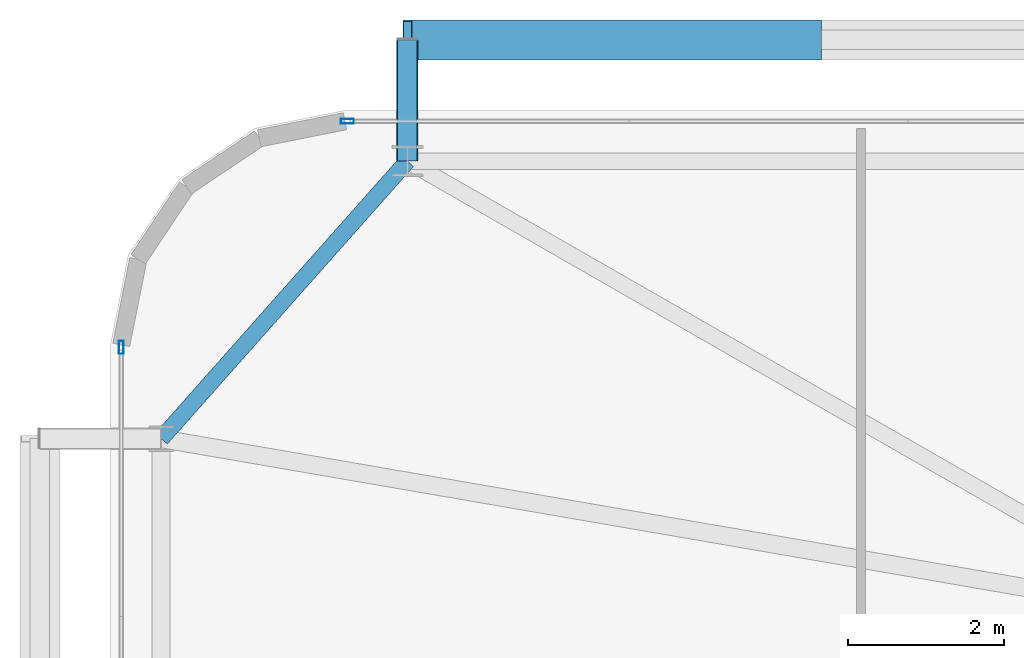
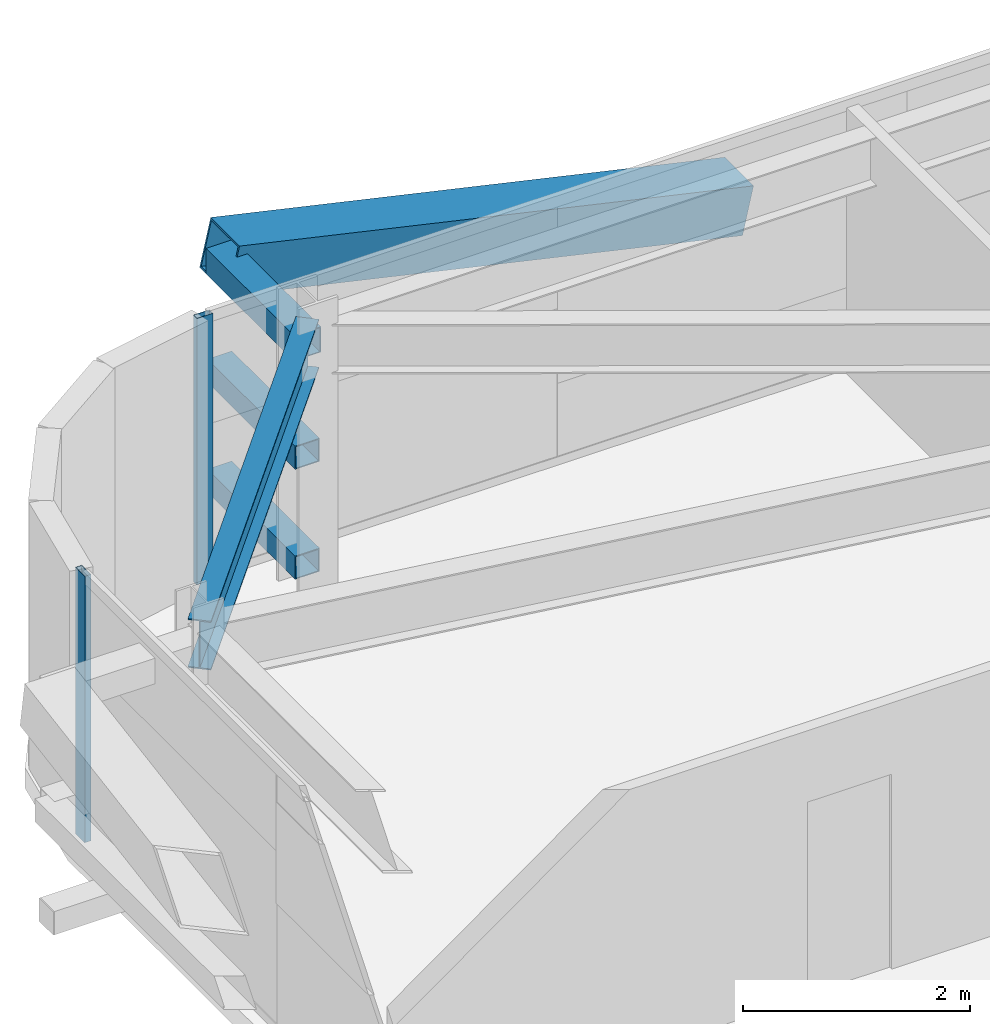
# One storey, part 21 of 45: 6 members, 1 beam, 2 elements without a shape of their own.
"""IFC4 building model written with IfcOpenShell, lengths in metres."""

from ifc_helpers import new_model, si_unit, direction, frame, origin, origin_2d, place, context, subcontext, project, spatial, hollow_rectangle, i_section, extrude, source, transform, mapped, material, layer, layer_set, material_profile, profile_set, type_object, element, aggregate, save


model = new_model("IFC4")

# Units and contexts
model_context = context("Model", 3, precision=1e-05, world=origin(), true_north=direction((0.0, 1.0)))
body_context = subcontext(model_context, "Body", "Model", "MODEL_VIEW")
ifc_project = project(units=[si_unit("LENGTHUNIT", "METRE"), si_unit("AREAUNIT", "SQUARE_METRE"), si_unit("VOLUMEUNIT", "CUBIC_METRE"), si_unit("PLANEANGLEUNIT", "RADIAN"), si_unit("MASSUNIT", "GRAM", prefix="KILO")], contexts=[model_context])

# Site, building, storey
site_placement = place(None, origin())
site = spatial("IfcSite", under=ifc_project, at=site_placement, CompositionType="ELEMENT")
building_placement = place(site_placement, origin())
building = spatial("IfcBuilding", under=site, at=building_placement, Name="Taldren Reach Tower", CompositionType="ELEMENT")
storey_placement = place(building_placement, frame((0.0, 0.0, 57.75)))
storey = spatial("IfcBuildingStorey", under=building, at=storey_placement, Name="L17", CompositionType="ELEMENT", Elevation=57.75)

# Beam
ifc_material_1 = material(Name="Steel Gr 350 (350PLUS)", Category="steel")
ifc_material_profile_1 = material_profile(ifc_material_1, i_section(OverallWidth=0.208984375, OverallDepth=0.528076171875, WebThickness=0.009521484375, FlangeThickness=0.01318359375, at=origin_2d()), Name="530UB82.0")
ifc_profile_set_1 = profile_set([ifc_material_profile_1], Name="Steel Gr 350 (350PLUS)")
beam_type = type_object("IfcBeamType", Name="SP-UB530B", PredefinedType="SPANDREL", material=ifc_profile_set_1)
shared_shape_1 = source(origin(), body_context, "Body", "SweptSolid", [
    extrude(i_section(OverallWidth=0.208984375, OverallDepth=0.528076171875, WebThickness=0.009521484375, FlangeThickness=0.01318359375, at=origin_2d()), origin(), (0.0, 0.0, 1.0), 4.74609375),
])
beam_placement = place(storey_placement, frame((8.800048828125, 37.85009765625, 2.60595703125), z_axis=(-0.663721843779, -0.747979487747, 0.0), x_axis=(0.747979487747, -0.663721843779, 0.0)))
element("IfcBeam", 1, at=beam_placement, inside=storey, type_object=beam_type, Name="Perimeter spandrel B1 N1-W3 L17", PredefinedType="SPANDREL", context=body_context, shape_type="MappedRepresentation", body=[
    mapped(shared_shape_1, transform((0.0, 0.0, 0.0), scale=1.0)),
])

# Members
ifc_material_2 = material(Name="Steel Gr 450 (C450L0)", Category="steel")
ifc_material_profile_2 = material_profile(ifc_material_2, hollow_rectangle(XDim=0.27490234375, YDim=0.27490234375, WallThickness=0.00927734375, at=origin_2d()), Name="275x275x9.3SHS")
ifc_profile_set_2 = profile_set([ifc_material_profile_2], Name="Steel Gr 450 (C450L0)")
member_type_1 = type_object("IfcMemberType", Name="MB-TIE273", PredefinedType="STRUT", material=ifc_profile_set_2)
shared_shape_2 = source(origin(), body_context, "Body", "SweptSolid", [
    extrude(hollow_rectangle(XDim=0.27490234375, YDim=0.27490234375, WallThickness=0.00927734375, at=origin_2d()), origin(), (0.0, 0.0, 1.0), 1.5498046875),
])
member_1_placement = place(storey_placement, frame((8.800048828125, 37.85009765625, 2.590087890625), z_axis=(0.0, 1.0, 0.0), x_axis=(-1.0, 0.0, 0.0)))
element("IfcMember", 2, at=member_1_placement, inside=storey, type_object=member_type_1, Name="Exoskeleton diaphragm tie strut B1-N1 L17", PredefinedType="STRUT", context=body_context, shape_type="MappedRepresentation", body=[
    mapped(shared_shape_2, transform((0.0, 0.0, 0.0), scale=1.0)),
])
ifc_material_3 = material(Name="Steel Gr 350 (C350L0)", Category="steel")
ifc_material_profile_3 = material_profile(ifc_material_3, hollow_rectangle(XDim=0.25, YDim=0.25, WallThickness=0.010009765625, at=origin_2d()), Name="250x250x10.0SHS")
ifc_profile_set_3 = profile_set([ifc_material_profile_3], Name="Steel Gr 350 (C350L0)")
member_type_2 = type_object("IfcMemberType", Name="MB-POST250", PredefinedType="POST", material=ifc_profile_set_3)
shared_shape_3 = source(origin(), body_context, "Body", "SweptSolid", [
    extrude(hollow_rectangle(XDim=0.25, YDim=0.25, WallThickness=0.010009765625, at=origin_2d()), origin(), (0.0, 0.0, 1.0), 1.5498046875),
])
for number, where, z_axis, x_axis, name in (
    (3, (8.800048828125, 37.85009765625, 0.219970703125), (0.0, 1.0, 0.0), (-1.0, 0.0, 0.0), "Exoskeleton base diaphragm tie strut B1-N1 L17"),
    (4, (8.800048828125, 37.85009765625, 1.405029296875), (0.0, 1.0, 0.0), (-1.0, 0.0, 0.0), "Exoskeleton mid-tier diaphragm tie B1-N1 L17"),
):
    element("IfcMember", number, at=place(storey_placement, frame(where, z_axis=z_axis, x_axis=x_axis)), inside=storey, type_object=member_type_2, Name=name, PredefinedType="POST", context=body_context, shape_type="MappedRepresentation", body=[
        mapped(shared_shape_3, transform((0.0, 0.0, 0.0), scale=1.0)),
    ])
ifc_material_profile_4 = material_profile(ifc_material_2, hollow_rectangle(XDim=0.510009765625, YDim=0.510009765625, WallThickness=0.02001953125, at=origin_2d()), Name="510x510x20.0SHS")
ifc_profile_set_4 = profile_set([ifc_material_profile_4], Name="Steel Gr 450 (C450L0)")
member_type_3 = type_object("IfcMemberType", Name="MB-EXO508", PredefinedType="BRACE", material=ifc_profile_set_4)
shared_shape_4 = source(origin(), body_context, "Body", "SweptSolid", [
    extrude(hollow_rectangle(XDim=0.510009765625, YDim=0.510009765625, WallThickness=0.02001953125, at=origin_2d()), origin(), (0.0, 0.0, 1.0), 5.372314453125),
])
member_2_placement = place(storey_placement, frame((14.0400390625, 39.39990234375, 1.405029296875), z_axis=(-0.975367562392, 0.0, 0.220585852297), x_axis=(0.0, -1.0, 0.0)))
element("IfcMember", 5, at=member_2_placement, inside=storey, type_object=member_type_3, Name="Exoskeleton Diagrid Brace B1-N1 L17", PredefinedType="BRACE", context=body_context, shape_type="MappedRepresentation", body=[
    mapped(shared_shape_4, transform((0.0, 0.0, 0.0), scale=1.0)),
])

# Curtain wall, member
ifc_material_4 = material(Name="Aluminium and Low-E Glass Unitised System", Category="aluminium")
ifc_layer = layer(ifc_material_4, 0.159912109375)
ifc_layer_set = layer_set([ifc_layer], Name="Aluminium and Low-E Glass Unitised System")
curtain_wall_type = type_object("IfcCurtainWallType", Name="CW-SYS-2", PredefinedType="NOTDEFINED", material=ifc_layer_set)
curtain_wall_1_placement = place(storey_placement, origin())
curtain_wall_1 = element("IfcCurtainWall", 6, at=curtain_wall_1_placement, inside=storey, type_object=curtain_wall_type, Name="Unitised curtain wall CW-L17-N", PredefinedType="NOTDEFINED")
ifc_material_5 = material(Name="Anodised Aluminium 6063-T6", Category="aluminium")
ifc_material_profile_5 = material_profile(ifc_material_5, hollow_rectangle(XDim=0.06494140625, YDim=0.1650390625, WallThickness=0.00390625, at=origin_2d()), Name="ALU-165x65x4RHS")
ifc_profile_set_5 = profile_set([ifc_material_profile_5], Name="Anodised Aluminium 6063-T6")
member_type_4 = type_object("IfcMemberType", Name="CW-MUL-165", PredefinedType="MULLION", material=ifc_profile_set_5)
shared_shape_5 = source(origin(), body_context, "Body", "SweptSolid", [
    extrude(hollow_rectangle(XDim=0.06494140625, YDim=0.1650390625, WallThickness=0.00390625, at=origin_2d()), origin(), (0.0, 0.0, 1.0), 2.8701171875),
])
member_3_placement = place(storey_placement, frame((8.032470703125, 38.360107421875, 0.0), z_axis=(0.0, 0.0, 1.0), x_axis=(0.0, -1.0, 0.0)))
member_3 = element("IfcMember", 7, at=member_3_placement, type_object=member_type_4, Name="CW-2 mullion 6", PredefinedType="MULLION", context=body_context, shape_type="MappedRepresentation", body=[
    mapped(shared_shape_5, transform((0.0, 0.0, 0.0), scale=1.0)),
])
aggregate(curtain_wall_1, [member_3])

curtain_wall_2_placement = place(storey_placement, origin())
curtain_wall_2 = element("IfcCurtainWall", 8, at=curtain_wall_2_placement, inside=storey, type_object=curtain_wall_type, Name="Unitised curtain wall CW-L17-W", PredefinedType="NOTDEFINED")
member_4_placement = place(storey_placement, frame((5.139892578125, 35.467529296875, 0.0), z_axis=(0.0, 0.0, 1.0), x_axis=(1.0, 0.0, 0.0)))
member_4 = element("IfcMember", 9, at=member_4_placement, type_object=member_type_4, Name="CW-2 mullion 1", PredefinedType="MULLION", context=body_context, shape_type="MappedRepresentation", body=[
    mapped(shared_shape_5, transform((0.0, 0.0, 0.0), scale=1.0)),
])
aggregate(curtain_wall_2, [member_4])

save(model, "model.ifc")
